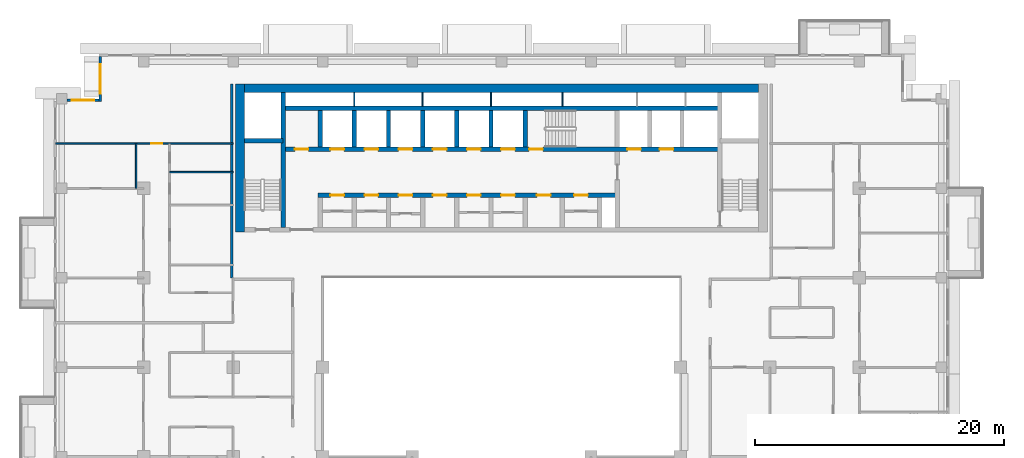
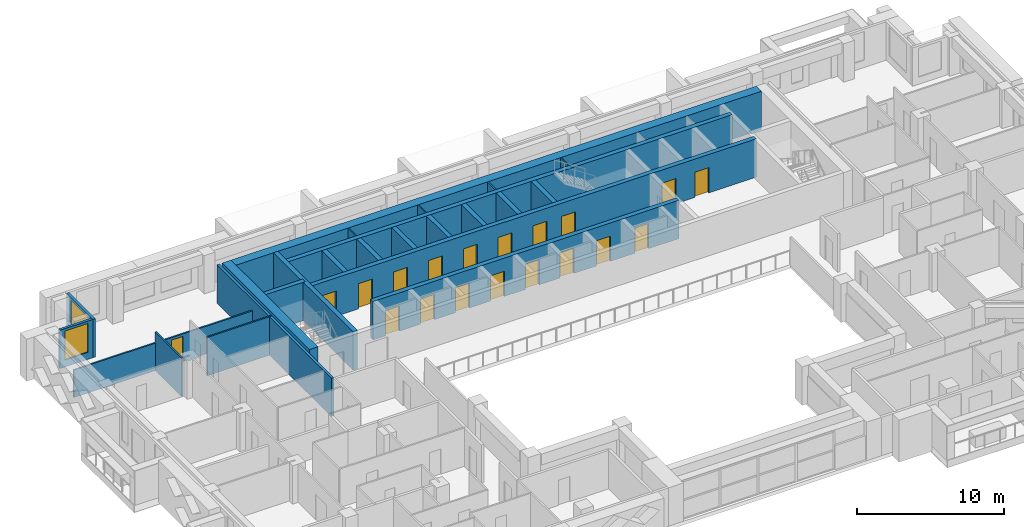
# One storey, part 10 of 20: 24 walls, 19 doors, 2 windows, 21 openings.
"""IFC4 building model written with IfcOpenShell, lengths in metres."""

from ifc_helpers import new_model, si_unit, direction, frame, frame_2d, origin, place, context, subcontext, project, spatial, rectangle, extrude, material, layer, layer_set, type_object, element, fill, save


model = new_model("IFC4")

# Units and contexts
model_context = context("Model", 3, precision=1e-05, world=origin(), true_north=direction((0.0, 1.0)))
body_context = subcontext(model_context, "Body", "Model", "MODEL_VIEW")
ifc_project = project(units=[si_unit("LENGTHUNIT", "METRE"), si_unit("AREAUNIT", "SQUARE_METRE"), si_unit("VOLUMEUNIT", "CUBIC_METRE"), si_unit("PLANEANGLEUNIT", "RADIAN"), si_unit("MASSUNIT", "GRAM", prefix="KILO")], contexts=[model_context])

# Site, building, storey
site_placement = place(None, origin())
site = spatial("IfcSite", under=ifc_project, at=site_placement, CompositionType="ELEMENT")
building_placement = place(site_placement, origin())
building = spatial("IfcBuilding", under=site, at=building_placement, Name="Saffron Iwan Residences", CompositionType="ELEMENT")
storey_placement = place(building_placement, frame((0.0, 0.0, 157.0)))
storey = spatial("IfcBuildingStorey", under=building, at=storey_placement, Name="L41", CompositionType="ELEMENT", Elevation=157.0)

# Wall, opening, window
ifc_material_1 = material(Name="Concrete C40/50", Category="concrete")
ifc_layer_1 = layer(ifc_material_1, 0.199951171875)
ifc_layer_set_1 = layer_set([ifc_layer_1], Name="Concrete C40/50")
wall_type_1 = type_object("IfcWallType", Name="EXTERNAL WALL 200", PredefinedType="SOLIDWALL", material=ifc_layer_set_1)
wall_1_placement = place(storey_placement, frame((18.10009765625, 80.199951171875, 0.0), z_axis=(0.0, 0.0, 1.0), x_axis=(0.0, -1.0, 0.0)))
wall_1 = element("IfcWall", 1, at=wall_1_placement, inside=storey, type_object=wall_type_1, Name="External wall L41 F6.0", PredefinedType="SOLIDWALL", context=body_context, shape_type="SweptSolid", body=[
    extrude(rectangle(XDim=3.599853515625, YDim=0.199951171875, at=frame_2d((1.7998046875, 0.0))), origin(), (0.0, 0.0, 1.0), 3.199951171875),
])
opening_1_placement = place(wall_1_placement, frame((0.60009765625, 0.0, 0.60009765625)))
opening_1 = element("IfcOpeningElement", 2, at=opening_1_placement, cuts=wall_1, Name="Opening W1", PredefinedType="OPENING", context=body_context, shape_type="SweptSolid", body=[
    extrude(rectangle(XDim=2.39990234375, YDim=2.39990234375, at=frame_2d((1.199951171875, 1.199951171875))), frame((0.0, 0.10986328125, 0.0), z_axis=(0.0, -1.0, 0.0), x_axis=(1.0, 0.0, 0.0)), (0.0, 0.0, 1.0), 0.219970703125),
])
ifc_material_2 = material(Name="Clear glass, laminated double glazed", Category="glass")
window_type_1 = type_object("IfcWindowType", Name="WINDOW 2400 x 2400", PartitioningType="DOUBLE_PANEL_VERTICAL", PredefinedType="WINDOW", material=ifc_material_2)
window_1_placement = place(opening_1_placement, origin())
window_1 = element("IfcWindow", 3, at=window_1_placement, inside=storey, type_object=window_type_1, Name="Window L41 F6.0", OverallHeight=2.39990234375, OverallWidth=2.39990234375, PartitioningType="DOUBLE_PANEL_VERTICAL", PredefinedType="WINDOW", context=body_context, shape_type="SweptSolid", body=[
    extrude(rectangle(XDim=2.39990234375, YDim=2.39990234375, at=frame_2d((1.199951171875, 1.199951171875))), frame((0.0, 0.030029296875, 0.0), z_axis=(0.0, -1.0, 0.0), x_axis=(1.0, 0.0, 0.0)), (0.0, 0.0, 1.0), 0.06005859375),
])
fill(opening_1, window_1)

wall_2_placement = place(storey_placement, frame((18.0, 76.699951171875, 0.0), z_axis=(0.0, 0.0, 1.0), x_axis=(-1.0, 0.0, 0.0)))
wall_2 = element("IfcWall", 4, at=wall_2_placement, inside=storey, type_object=wall_type_1, Name="External wall L41 F7.0", PredefinedType="SOLIDWALL", context=body_context, shape_type="SweptSolid", body=[
    extrude(rectangle(XDim=2.574951171875, YDim=0.199951171875, at=frame_2d((1.28759765625, 0.0))), origin(), (0.0, 0.0, 1.0), 3.199951171875),
])
opening_2_placement = place(wall_2_placement, frame((0.387451171875, 0.0, 0.60009765625)))
opening_2 = element("IfcOpeningElement", 5, at=opening_2_placement, cuts=wall_2, Name="Opening W8", PredefinedType="OPENING", context=body_context, shape_type="SweptSolid", body=[
    extrude(rectangle(XDim=1.800048828125, YDim=2.39990234375, at=frame_2d((0.89990234375, 1.199951171875))), frame((0.0, 0.10986328125, 0.0), z_axis=(0.0, -1.0, 0.0), x_axis=(1.0, 0.0, 0.0)), (0.0, 0.0, 1.0), 0.219970703125),
])
window_type_2 = type_object("IfcWindowType", Name="WINDOW 1800 x 2400", PartitioningType="DOUBLE_PANEL_VERTICAL", PredefinedType="WINDOW", material=ifc_material_2)
window_2_placement = place(opening_2_placement, origin())
window_2 = element("IfcWindow", 6, at=window_2_placement, inside=storey, type_object=window_type_2, Name="Window L41 F7.0", OverallHeight=2.39990234375, OverallWidth=1.800048828125, PartitioningType="DOUBLE_PANEL_VERTICAL", PredefinedType="WINDOW", context=body_context, shape_type="SweptSolid", body=[
    extrude(rectangle(XDim=1.800048828125, YDim=2.39990234375, at=frame_2d((0.89990234375, 1.199951171875))), frame((0.0, 0.030029296875, 0.0), z_axis=(0.0, -1.0, 0.0), x_axis=(1.0, 0.0, 0.0)), (0.0, 0.0, 1.0), 0.06005859375),
])
fill(opening_2, window_2)

# Wall
ifc_material_3 = material(Name="Gypsum board partition")
ifc_layer_2 = layer(ifc_material_3, 0.1201171875)
ifc_layer_set_2 = layer_set([ifc_layer_2], Name="Gypsum board partition")
wall_type_2 = type_object("IfcWallType", Name="Flat partition 120", PredefinedType="PARTITIONING", material=ifc_layer_set_2)
wall_3_placement = place(storey_placement, frame((23.699951171875, 70.89990234375, 0.0), z_axis=(0.0, 0.0, 1.0), x_axis=(1.0, 0.0, 0.0)))
element("IfcWall", 7, at=wall_3_placement, inside=storey, type_object=wall_type_2, Name="W-L41-PART-h70.9-23.7", PredefinedType="PARTITIONING", context=body_context, shape_type="SweptSolid", body=[
    extrude(rectangle(XDim=5.10009765625, YDim=0.1201171875, at=frame_2d((2.550048828125, 0.0))), origin(), (0.0, 0.0, 1.0), 3.199951171875),
])

# Wall, opening, door
wall_4_placement = place(storey_placement, frame((14.52490234375, 73.199951171875, 0.0), z_axis=(0.0, 0.0, 1.0), x_axis=(1.0, 0.0, 0.0)))
wall_4 = element("IfcWall", 8, at=wall_4_placement, inside=storey, type_object=wall_type_2, Name="W-L41-PART-h73.2-14.525", PredefinedType="PARTITIONING", context=body_context, shape_type="SweptSolid", body=[
    extrude(rectangle(XDim=14.275146484375, YDim=0.1201171875, at=frame_2d((7.1376953125, 0.0))), origin(), (0.0, 0.0, 1.0), 2.300048828125),
])
opening_3_placement = place(wall_4_placement, frame((7.675048828125, 0.0, 0.0)))
opening_3 = element("IfcOpeningElement", 9, at=opening_3_placement, cuts=wall_4, Name="Opening FD2", PredefinedType="OPENING", context=body_context, shape_type="SweptSolid", body=[
    extrude(rectangle(XDim=0.89990234375, YDim=2.10009765625, at=frame_2d((0.449951171875, 1.050048828125))), frame((0.0, 0.070068359375, 0.0), z_axis=(0.0, -1.0, 0.0), x_axis=(1.0, 0.0, 0.0)), (0.0, 0.0, 1.0), 0.14013671875),
])
ifc_material_4 = material(Name="Timber door", Category="wood")
door_type_1 = type_object("IfcDoorType", Name="Flat door 900", OperationType="NOTDEFINED", PredefinedType="DOOR", material=ifc_material_4)
door_1_placement = place(opening_3_placement, origin())
door_1 = element("IfcDoor", 10, at=door_1_placement, inside=storey, type_object=door_type_1, Name="Door L41-026", OperationType="SINGLE_SWING_RIGHT", OverallHeight=2.10009765625, OverallWidth=0.89990234375, PredefinedType="DOOR", context=body_context, shape_type="SweptSolid", body=[
    extrude(rectangle(XDim=0.89990234375, YDim=2.10009765625, at=frame_2d((0.449951171875, 1.050048828125))), frame((0.0, 0.02490234375, 0.0), z_axis=(0.0, -1.0, 0.0), x_axis=(1.0, 0.0, 0.0)), (0.0, 0.0, 1.0), 0.050048828125),
])
fill(opening_3, door_1)

# Walls
wall_5_placement = place(storey_placement, frame((21.0, 69.60009765625, 0.0), z_axis=(0.0, 0.0, 1.0), x_axis=(0.0, 1.0, 0.0)))
element("IfcWall", 11, at=wall_5_placement, inside=storey, type_object=wall_type_2, Name="W-L41-PART-v21-69.6", PredefinedType="PARTITIONING", context=body_context, shape_type="SweptSolid", body=[
    extrude(rectangle(XDim=3.599853515625, YDim=0.1201171875, at=frame_2d((1.7998046875, 0.0))), origin(), (0.0, 0.0, 1.0), 3.199951171875),
])
ifc_material_5 = material(Name="Fire-rated gypsum board wall")
ifc_layer_3 = layer(ifc_material_5, 0.199951171875)
ifc_layer_set_3 = layer_set([ifc_layer_3], Name="Fire-rated gypsum board wall")
wall_type_3 = type_object("IfcWallType", Name="Gallery wall 200", PredefinedType="SOLIDWALL", material=ifc_layer_set_3)
wall_6_placement = place(storey_placement, frame((28.699951171875, 62.39990234375, 0.0), z_axis=(0.0, 0.0, 1.0), x_axis=(0.0, 1.0, 0.0)))
element("IfcWall", 12, at=wall_6_placement, inside=storey, type_object=wall_type_3, Name="W-L41-CORR-v28.8-62.4", PredefinedType="SOLIDWALL", context=body_context, shape_type="SweptSolid", body=[
    extrude(rectangle(XDim=15.60009765625, YDim=0.199951171875, at=frame_2d((7.800048828125, 0.0))), origin(), (0.0, 0.0, 1.0), 3.199951171875),
])
ifc_material_6 = material(Name="Fire-rated plasterboard partition")
ifc_layer_4 = layer(ifc_material_6, 0.10009765625)
ifc_layer_set_4 = layer_set([ifc_layer_4], Name="Fire-rated plasterboard partition")
wall_type_4 = type_object("IfcWallType", Name="Riser partition 100", PredefinedType="PARTITIONING", material=ifc_layer_set_4)
for number, where, z_axis, x_axis, name in (
    (13, (38.550048828125, 76.22509765625, 0.0), (0.0, 0.0, 1.0), (0.0, 1.0, 0.0), "Core partition P07"),
    (14, (44.050048828125, 76.22509765625, 0.0), (0.0, 0.0, 1.0), (0.0, 1.0, 0.0), "Core partition P08"),
    (15, (49.550048828125, 76.22509765625, 0.0), (0.0, 0.0, 1.0), (0.0, 1.0, 0.0), "Core partition P09"),
    (16, (55.300048828125, 76.22509765625, 0.0), (0.0, 0.0, 1.0), (0.0, 1.0, 0.0), "Core partition P10"),
):
    element("IfcWall", number, at=place(storey_placement, frame(where, z_axis=z_axis, x_axis=x_axis)), inside=storey, type_object=wall_type_4, Name=name, PredefinedType="PARTITIONING", context=body_context, shape_type="SweptSolid", body=[
        extrude(rectangle(XDim=1.074951171875, YDim=0.10009765625, at=frame_2d((0.53759765625, 0.0))), origin(), (0.0, 0.0, 1.0), 3.199951171875),
    ])

# Wall, openings, doors
ifc_material_7 = material(Name="Concrete C50/60", Category="concrete")
ifc_layer_5 = layer(ifc_material_7, 0.35009765625)
ifc_layer_set_5 = layer_set([ifc_layer_5], Name="Concrete C50/60")
wall_type_5 = type_object("IfcWallType", Name="WALL CORE 350 C50/60 3200 HIGH", PredefinedType="SHEAR", material=ifc_layer_set_5)
wall_7_placement = place(storey_placement, frame((35.625, 69.050048828125, 0.0), z_axis=(0.0, 0.0, 1.0), x_axis=(1.0, 0.0, 0.0)))
wall_7 = element("IfcWall", 17, at=wall_7_placement, inside=storey, type_object=wall_type_5, Name="Core wall", PredefinedType="SHEAR", context=body_context, shape_type="SweptSolid", body=[
    extrude(rectangle(XDim=24.10009765625, YDim=0.35009765625, at=frame_2d((12.050048828125, 0.0))), origin(), (0.0, 0.0, 1.0), 3.199951171875),
])
opening_4_placement = place(wall_7_placement, frame((1.0, 0.0, 0.0)))
opening_4 = element("IfcOpeningElement", 18, at=opening_4_placement, cuts=wall_7, Name="Opening SR", PredefinedType="OPENING", context=body_context, shape_type="SweptSolid", body=[
    extrude(rectangle(XDim=1.10009765625, YDim=2.10009765625, at=frame_2d((0.550048828125, 1.050048828125))), frame((0.0, 0.18505859375, 0.0), z_axis=(0.0, -1.0, 0.0), x_axis=(1.0, 0.0, 0.0)), (0.0, 0.0, 1.0), 0.3701171875),
])
opening_5_placement = place(wall_7_placement, frame((3.75, 0.0, 0.0)))
opening_5 = element("IfcOpeningElement", 19, at=opening_5_placement, cuts=wall_7, Name="Opening SR", PredefinedType="OPENING", context=body_context, shape_type="SweptSolid", body=[
    extrude(rectangle(XDim=1.10009765625, YDim=2.10009765625, at=frame_2d((0.550048828125, 1.050048828125))), frame((0.0, 0.18505859375, 0.0), z_axis=(0.0, -1.0, 0.0), x_axis=(1.0, 0.0, 0.0)), (0.0, 0.0, 1.0), 0.3701171875),
])
opening_6_placement = place(wall_7_placement, frame((6.5, 0.0, 0.0)))
opening_6 = element("IfcOpeningElement", 20, at=opening_6_placement, cuts=wall_7, Name="Opening SR", PredefinedType="OPENING", context=body_context, shape_type="SweptSolid", body=[
    extrude(rectangle(XDim=1.10009765625, YDim=2.10009765625, at=frame_2d((0.550048828125, 1.050048828125))), frame((0.0, 0.18505859375, 0.0), z_axis=(0.0, -1.0, 0.0), x_axis=(1.0, 0.0, 0.0)), (0.0, 0.0, 1.0), 0.3701171875),
])
opening_7_placement = place(wall_7_placement, frame((9.25, 0.0, 0.0)))
opening_7 = element("IfcOpeningElement", 21, at=opening_7_placement, cuts=wall_7, Name="Opening SR", PredefinedType="OPENING", context=body_context, shape_type="SweptSolid", body=[
    extrude(rectangle(XDim=1.10009765625, YDim=2.10009765625, at=frame_2d((0.550048828125, 1.050048828125))), frame((0.0, 0.18505859375, 0.0), z_axis=(0.0, -1.0, 0.0), x_axis=(1.0, 0.0, 0.0)), (0.0, 0.0, 1.0), 0.3701171875),
])
opening_8_placement = place(wall_7_placement, frame((12.0, 0.0, 0.0)))
opening_8 = element("IfcOpeningElement", 22, at=opening_8_placement, cuts=wall_7, Name="Opening SR", PredefinedType="OPENING", context=body_context, shape_type="SweptSolid", body=[
    extrude(rectangle(XDim=1.10009765625, YDim=2.10009765625, at=frame_2d((0.550048828125, 1.050048828125))), frame((0.0, 0.18505859375, 0.0), z_axis=(0.0, -1.0, 0.0), x_axis=(1.0, 0.0, 0.0)), (0.0, 0.0, 1.0), 0.3701171875),
])
opening_9_placement = place(wall_7_placement, frame((14.75, 0.0, 0.0)))
opening_9 = element("IfcOpeningElement", 23, at=opening_9_placement, cuts=wall_7, Name="Opening SR", PredefinedType="OPENING", context=body_context, shape_type="SweptSolid", body=[
    extrude(rectangle(XDim=1.10009765625, YDim=2.10009765625, at=frame_2d((0.550048828125, 1.050048828125))), frame((0.0, 0.18505859375, 0.0), z_axis=(0.0, -1.0, 0.0), x_axis=(1.0, 0.0, 0.0)), (0.0, 0.0, 1.0), 0.3701171875),
])
opening_10_placement = place(wall_7_placement, frame((17.625, 0.0, 0.0)))
opening_10 = element("IfcOpeningElement", 24, at=opening_10_placement, cuts=wall_7, Name="Opening SR", PredefinedType="OPENING", context=body_context, shape_type="SweptSolid", body=[
    extrude(rectangle(XDim=1.10009765625, YDim=2.10009765625, at=frame_2d((0.550048828125, 1.050048828125))), frame((0.0, 0.18505859375, 0.0), z_axis=(0.0, -1.0, 0.0), x_axis=(1.0, 0.0, 0.0)), (0.0, 0.0, 1.0), 0.3701171875),
])
opening_11_placement = place(wall_7_placement, frame((20.625, 0.0, 0.0)))
opening_11 = element("IfcOpeningElement", 25, at=opening_11_placement, cuts=wall_7, Name="Opening SR", PredefinedType="OPENING", context=body_context, shape_type="SweptSolid", body=[
    extrude(rectangle(XDim=1.10009765625, YDim=2.10009765625, at=frame_2d((0.550048828125, 1.050048828125))), frame((0.0, 0.18505859375, 0.0), z_axis=(0.0, -1.0, 0.0), x_axis=(1.0, 0.0, 0.0)), (0.0, 0.0, 1.0), 0.3701171875),
])
ifc_material_8 = material(Name="Steel fire door", Category="steel")
door_type_2 = type_object("IfcDoorType", Name="Service door 1100", OperationType="NOTDEFINED", PredefinedType="DOOR", material=ifc_material_8)
door_2_placement = place(opening_4_placement, origin())
door_2 = element("IfcDoor", 26, at=door_2_placement, inside=storey, type_object=door_type_2, Name="Door Maintenance store", OperationType="SINGLE_SWING_RIGHT", OverallHeight=2.10009765625, OverallWidth=1.10009765625, PredefinedType="DOOR", context=body_context, shape_type="SweptSolid", body=[
    extrude(rectangle(XDim=1.10009765625, YDim=2.10009765625, at=frame_2d((0.550048828125, 1.050048828125))), frame((0.0, 0.02490234375, 0.0), z_axis=(0.0, -1.0, 0.0), x_axis=(1.0, 0.0, 0.0)), (0.0, 0.0, 1.0), 0.050048828125),
])
fill(opening_4, door_2)
door_3_placement = place(opening_5_placement, origin())
door_3 = element("IfcDoor", 27, at=door_3_placement, inside=storey, type_object=door_type_2, Name="Door Linen store", OperationType="SINGLE_SWING_LEFT", OverallHeight=2.10009765625, OverallWidth=1.10009765625, PredefinedType="DOOR", context=body_context, shape_type="SweptSolid", body=[
    extrude(rectangle(XDim=1.10009765625, YDim=2.10009765625, at=frame_2d((0.550048828125, 1.050048828125))), frame((0.0, 0.02490234375, 0.0), z_axis=(0.0, -1.0, 0.0), x_axis=(1.0, 0.0, 0.0)), (0.0, 0.0, 1.0), 0.050048828125),
])
fill(opening_5, door_3)
door_4_placement = place(opening_6_placement, origin())
door_4 = element("IfcDoor", 28, at=door_4_placement, inside=storey, type_object=door_type_2, Name="Door Pantry", OperationType="SINGLE_SWING_RIGHT", OverallHeight=2.10009765625, OverallWidth=1.10009765625, PredefinedType="DOOR", context=body_context, shape_type="SweptSolid", body=[
    extrude(rectangle(XDim=1.10009765625, YDim=2.10009765625, at=frame_2d((0.550048828125, 1.050048828125))), frame((0.0, 0.02490234375, 0.0), z_axis=(0.0, -1.0, 0.0), x_axis=(1.0, 0.0, 0.0)), (0.0, 0.0, 1.0), 0.050048828125),
])
fill(opening_6, door_4)
door_5_placement = place(opening_7_placement, origin())
door_5 = element("IfcDoor", 29, at=door_5_placement, inside=storey, type_object=door_type_2, Name="Door Electrical room", OperationType="SINGLE_SWING_LEFT", OverallHeight=2.10009765625, OverallWidth=1.10009765625, PredefinedType="DOOR", context=body_context, shape_type="SweptSolid", body=[
    extrude(rectangle(XDim=1.10009765625, YDim=2.10009765625, at=frame_2d((0.550048828125, 1.050048828125))), frame((0.0, 0.02490234375, 0.0), z_axis=(0.0, -1.0, 0.0), x_axis=(1.0, 0.0, 0.0)), (0.0, 0.0, 1.0), 0.050048828125),
])
fill(opening_7, door_5)
door_6_placement = place(opening_8_placement, origin())
door_6 = element("IfcDoor", 30, at=door_6_placement, inside=storey, type_object=door_type_2, Name="Door Luggage store", OperationType="SINGLE_SWING_RIGHT", OverallHeight=2.10009765625, OverallWidth=1.10009765625, PredefinedType="DOOR", context=body_context, shape_type="SweptSolid", body=[
    extrude(rectangle(XDim=1.10009765625, YDim=2.10009765625, at=frame_2d((0.550048828125, 1.050048828125))), frame((0.0, 0.02490234375, 0.0), z_axis=(0.0, -1.0, 0.0), x_axis=(1.0, 0.0, 0.0)), (0.0, 0.0, 1.0), 0.050048828125),
])
fill(opening_8, door_6)
door_7_placement = place(opening_9_placement, origin())
door_7 = element("IfcDoor", 31, at=door_7_placement, inside=storey, type_object=door_type_2, Name="Door Refuse store", OperationType="SINGLE_SWING_LEFT", OverallHeight=2.10009765625, OverallWidth=1.10009765625, PredefinedType="DOOR", context=body_context, shape_type="SweptSolid", body=[
    extrude(rectangle(XDim=1.10009765625, YDim=2.10009765625, at=frame_2d((0.550048828125, 1.050048828125))), frame((0.0, 0.02490234375, 0.0), z_axis=(0.0, -1.0, 0.0), x_axis=(1.0, 0.0, 0.0)), (0.0, 0.0, 1.0), 0.050048828125),
])
fill(opening_9, door_7)
door_8_placement = place(opening_10_placement, origin())
door_8 = element("IfcDoor", 32, at=door_8_placement, inside=storey, type_object=door_type_2, Name="Door Housekeeping store", OperationType="SINGLE_SWING_RIGHT", OverallHeight=2.10009765625, OverallWidth=1.10009765625, PredefinedType="DOOR", context=body_context, shape_type="SweptSolid", body=[
    extrude(rectangle(XDim=1.10009765625, YDim=2.10009765625, at=frame_2d((0.550048828125, 1.050048828125))), frame((0.0, 0.02490234375, 0.0), z_axis=(0.0, -1.0, 0.0), x_axis=(1.0, 0.0, 0.0)), (0.0, 0.0, 1.0), 0.050048828125),
])
fill(opening_10, door_8)
door_9_placement = place(opening_11_placement, origin())
door_9 = element("IfcDoor", 33, at=door_9_placement, inside=storey, type_object=door_type_2, Name="Door Cleaner's store", OperationType="SINGLE_SWING_RIGHT", OverallHeight=2.10009765625, OverallWidth=1.10009765625, PredefinedType="DOOR", context=body_context, shape_type="SweptSolid", body=[
    extrude(rectangle(XDim=1.10009765625, YDim=2.10009765625, at=frame_2d((0.550048828125, 1.050048828125))), frame((0.0, 0.02490234375, 0.0), z_axis=(0.0, -1.0, 0.0), x_axis=(1.0, 0.0, 0.0)), (0.0, 0.0, 1.0), 0.050048828125),
])
fill(opening_11, door_9)

wall_8_placement = place(storey_placement, frame((32.824951171875, 72.75, 0.0), z_axis=(0.0, 0.0, 1.0), x_axis=(1.0, 0.0, 0.0)))
wall_8 = element("IfcWall", 34, at=wall_8_placement, inside=storey, type_object=wall_type_5, Name="Core wall", PredefinedType="SHEAR", context=body_context, shape_type="SweptSolid", body=[
    extrude(rectangle(XDim=35.150146484375, YDim=0.35009765625, at=frame_2d((17.5751953125, 0.0))), origin(), (0.0, 0.0, 1.0), 3.199951171875),
])
opening_12_placement = place(wall_8_placement, frame((19.800048828125, 0.0, 0.0)))
opening_12 = element("IfcOpeningElement", 35, at=opening_12_placement, cuts=wall_8, Name="Opening SD", PredefinedType="OPENING", context=body_context, shape_type="SweptSolid", body=[
    extrude(rectangle(XDim=1.10009765625, YDim=2.10009765625, at=frame_2d((0.550048828125, 1.050048828125))), frame((0.0, 0.18505859375, 0.0), z_axis=(0.0, -1.0, 0.0), x_axis=(1.0, 0.0, 0.0)), (0.0, 0.0, 1.0), 0.3701171875),
])
opening_13_placement = place(wall_8_placement, frame((27.699951171875, 0.0, 0.0)))
opening_13 = element("IfcOpeningElement", 36, at=opening_13_placement, cuts=wall_8, Name="Opening LD", PredefinedType="OPENING", context=body_context, shape_type="SweptSolid", body=[
    extrude(rectangle(XDim=1.10009765625, YDim=2.10009765625, at=frame_2d((0.550048828125, 1.050048828125))), frame((0.0, 0.18505859375, 0.0), z_axis=(0.0, -1.0, 0.0), x_axis=(1.0, 0.0, 0.0)), (0.0, 0.0, 1.0), 0.3701171875),
])
opening_14_placement = place(wall_8_placement, frame((30.300048828125, 0.0, 0.0)))
opening_14 = element("IfcOpeningElement", 37, at=opening_14_placement, cuts=wall_8, Name="Opening LD", PredefinedType="OPENING", context=body_context, shape_type="SweptSolid", body=[
    extrude(rectangle(XDim=1.10009765625, YDim=2.10009765625, at=frame_2d((0.550048828125, 1.050048828125))), frame((0.0, 0.18505859375, 0.0), z_axis=(0.0, -1.0, 0.0), x_axis=(1.0, 0.0, 0.0)), (0.0, 0.0, 1.0), 0.3701171875),
])
opening_15_placement = place(wall_8_placement, frame((3.800048828125, 0.0, 0.0)))
opening_15 = element("IfcOpeningElement", 38, at=opening_15_placement, cuts=wall_8, Name="Opening LD", PredefinedType="OPENING", context=body_context, shape_type="SweptSolid", body=[
    extrude(rectangle(XDim=1.10009765625, YDim=2.10009765625, at=frame_2d((0.550048828125, 1.050048828125))), frame((0.0, 0.18505859375, 0.0), z_axis=(0.0, -1.0, 0.0), x_axis=(1.0, 0.0, 0.0)), (0.0, 0.0, 1.0), 0.3701171875),
])
opening_16_placement = place(wall_8_placement, frame((6.550048828125, 0.0, 0.0)))
opening_16 = element("IfcOpeningElement", 39, at=opening_16_placement, cuts=wall_8, Name="Opening LD", PredefinedType="OPENING", context=body_context, shape_type="SweptSolid", body=[
    extrude(rectangle(XDim=1.10009765625, YDim=2.10009765625, at=frame_2d((0.550048828125, 1.050048828125))), frame((0.0, 0.18505859375, 0.0), z_axis=(0.0, -1.0, 0.0), x_axis=(1.0, 0.0, 0.0)), (0.0, 0.0, 1.0), 0.3701171875),
])
opening_17_placement = place(wall_8_placement, frame((9.300048828125, 0.0, 0.0)))
opening_17 = element("IfcOpeningElement", 40, at=opening_17_placement, cuts=wall_8, Name="Opening LD", PredefinedType="OPENING", context=body_context, shape_type="SweptSolid", body=[
    extrude(rectangle(XDim=1.10009765625, YDim=2.10009765625, at=frame_2d((0.550048828125, 1.050048828125))), frame((0.0, 0.18505859375, 0.0), z_axis=(0.0, -1.0, 0.0), x_axis=(1.0, 0.0, 0.0)), (0.0, 0.0, 1.0), 0.3701171875),
])
opening_18_placement = place(wall_8_placement, frame((12.050048828125, 0.0, 0.0)))
opening_18 = element("IfcOpeningElement", 41, at=opening_18_placement, cuts=wall_8, Name="Opening LD", PredefinedType="OPENING", context=body_context, shape_type="SweptSolid", body=[
    extrude(rectangle(XDim=1.10009765625, YDim=2.10009765625, at=frame_2d((0.550048828125, 1.050048828125))), frame((0.0, 0.18505859375, 0.0), z_axis=(0.0, -1.0, 0.0), x_axis=(1.0, 0.0, 0.0)), (0.0, 0.0, 1.0), 0.3701171875),
])
opening_19_placement = place(wall_8_placement, frame((14.800048828125, 0.0, 0.0)))
opening_19 = element("IfcOpeningElement", 42, at=opening_19_placement, cuts=wall_8, Name="Opening LD", PredefinedType="OPENING", context=body_context, shape_type="SweptSolid", body=[
    extrude(rectangle(XDim=1.10009765625, YDim=2.10009765625, at=frame_2d((0.550048828125, 1.050048828125))), frame((0.0, 0.18505859375, 0.0), z_axis=(0.0, -1.0, 0.0), x_axis=(1.0, 0.0, 0.0)), (0.0, 0.0, 1.0), 0.3701171875),
])
opening_20_placement = place(wall_8_placement, frame((17.550048828125, 0.0, 0.0)))
opening_20 = element("IfcOpeningElement", 43, at=opening_20_placement, cuts=wall_8, Name="Opening LD", PredefinedType="OPENING", context=body_context, shape_type="SweptSolid", body=[
    extrude(rectangle(XDim=1.10009765625, YDim=2.10009765625, at=frame_2d((0.550048828125, 1.050048828125))), frame((0.0, 0.18505859375, 0.0), z_axis=(0.0, -1.0, 0.0), x_axis=(1.0, 0.0, 0.0)), (0.0, 0.0, 1.0), 0.3701171875),
])
opening_21_placement = place(wall_8_placement, frame((0.9375, 0.0, 0.0)))
opening_21 = element("IfcOpeningElement", 44, at=opening_21_placement, cuts=wall_8, Name="Opening SR", PredefinedType="OPENING", context=body_context, shape_type="SweptSolid", body=[
    extrude(rectangle(XDim=1.10009765625, YDim=2.10009765625, at=frame_2d((0.550048828125, 1.050048828125))), frame((0.0, 0.18505859375, 0.0), z_axis=(0.0, -1.0, 0.0), x_axis=(1.0, 0.0, 0.0)), (0.0, 0.0, 1.0), 0.3701171875),
])
door_type_3 = type_object("IfcDoorType", Name="Lift landing door 1100", OperationType="SLIDING_TO_LEFT", PredefinedType="DOOR", material=ifc_material_8)
door_10_placement = place(opening_13_placement, origin())
door_10 = element("IfcDoor", 45, at=door_10_placement, inside=storey, type_object=door_type_3, Name="Landing doors FF1", OperationType="SLIDING_TO_LEFT", OverallHeight=2.10009765625, OverallWidth=1.10009765625, PredefinedType="DOOR", context=body_context, shape_type="SweptSolid", body=[
    extrude(rectangle(XDim=1.10009765625, YDim=2.10009765625, at=frame_2d((0.550048828125, 1.050048828125))), frame((0.0, 0.02490234375, 0.0), z_axis=(0.0, -1.0, 0.0), x_axis=(1.0, 0.0, 0.0)), (0.0, 0.0, 1.0), 0.050048828125),
])
fill(opening_13, door_10)
door_11_placement = place(opening_14_placement, origin())
door_11 = element("IfcDoor", 46, at=door_11_placement, inside=storey, type_object=door_type_3, Name="Landing doors FF2", OperationType="SLIDING_TO_LEFT", OverallHeight=2.10009765625, OverallWidth=1.10009765625, PredefinedType="DOOR", context=body_context, shape_type="SweptSolid", body=[
    extrude(rectangle(XDim=1.10009765625, YDim=2.10009765625, at=frame_2d((0.550048828125, 1.050048828125))), frame((0.0, 0.02490234375, 0.0), z_axis=(0.0, -1.0, 0.0), x_axis=(1.0, 0.0, 0.0)), (0.0, 0.0, 1.0), 0.050048828125),
])
fill(opening_14, door_11)
door_12_placement = place(opening_15_placement, origin())
door_12 = element("IfcDoor", 47, at=door_12_placement, inside=storey, type_object=door_type_3, Name="Landing doors HR1", OperationType="SLIDING_TO_LEFT", OverallHeight=2.10009765625, OverallWidth=1.10009765625, PredefinedType="DOOR", context=body_context, shape_type="SweptSolid", body=[
    extrude(rectangle(XDim=1.10009765625, YDim=2.10009765625, at=frame_2d((0.550048828125, 1.050048828125))), frame((0.0, 0.02490234375, 0.0), z_axis=(0.0, -1.0, 0.0), x_axis=(1.0, 0.0, 0.0)), (0.0, 0.0, 1.0), 0.050048828125),
])
fill(opening_15, door_12)
door_13_placement = place(opening_16_placement, origin())
door_13 = element("IfcDoor", 48, at=door_13_placement, inside=storey, type_object=door_type_3, Name="Landing doors HR2", OperationType="SLIDING_TO_LEFT", OverallHeight=2.10009765625, OverallWidth=1.10009765625, PredefinedType="DOOR", context=body_context, shape_type="SweptSolid", body=[
    extrude(rectangle(XDim=1.10009765625, YDim=2.10009765625, at=frame_2d((0.550048828125, 1.050048828125))), frame((0.0, 0.02490234375, 0.0), z_axis=(0.0, -1.0, 0.0), x_axis=(1.0, 0.0, 0.0)), (0.0, 0.0, 1.0), 0.050048828125),
])
fill(opening_16, door_13)
door_14_placement = place(opening_17_placement, origin())
door_14 = element("IfcDoor", 49, at=door_14_placement, inside=storey, type_object=door_type_3, Name="Landing doors HR3", OperationType="SLIDING_TO_LEFT", OverallHeight=2.10009765625, OverallWidth=1.10009765625, PredefinedType="DOOR", context=body_context, shape_type="SweptSolid", body=[
    extrude(rectangle(XDim=1.10009765625, YDim=2.10009765625, at=frame_2d((0.550048828125, 1.050048828125))), frame((0.0, 0.02490234375, 0.0), z_axis=(0.0, -1.0, 0.0), x_axis=(1.0, 0.0, 0.0)), (0.0, 0.0, 1.0), 0.050048828125),
])
fill(opening_17, door_14)
door_15_placement = place(opening_18_placement, origin())
door_15 = element("IfcDoor", 50, at=door_15_placement, inside=storey, type_object=door_type_3, Name="Landing doors HR4", OperationType="SLIDING_TO_LEFT", OverallHeight=2.10009765625, OverallWidth=1.10009765625, PredefinedType="DOOR", context=body_context, shape_type="SweptSolid", body=[
    extrude(rectangle(XDim=1.10009765625, YDim=2.10009765625, at=frame_2d((0.550048828125, 1.050048828125))), frame((0.0, 0.02490234375, 0.0), z_axis=(0.0, -1.0, 0.0), x_axis=(1.0, 0.0, 0.0)), (0.0, 0.0, 1.0), 0.050048828125),
])
fill(opening_18, door_15)
door_16_placement = place(opening_19_placement, origin())
door_16 = element("IfcDoor", 51, at=door_16_placement, inside=storey, type_object=door_type_3, Name="Landing doors HR5", OperationType="SLIDING_TO_LEFT", OverallHeight=2.10009765625, OverallWidth=1.10009765625, PredefinedType="DOOR", context=body_context, shape_type="SweptSolid", body=[
    extrude(rectangle(XDim=1.10009765625, YDim=2.10009765625, at=frame_2d((0.550048828125, 1.050048828125))), frame((0.0, 0.02490234375, 0.0), z_axis=(0.0, -1.0, 0.0), x_axis=(1.0, 0.0, 0.0)), (0.0, 0.0, 1.0), 0.050048828125),
])
fill(opening_19, door_16)
door_17_placement = place(opening_20_placement, origin())
door_17 = element("IfcDoor", 52, at=door_17_placement, inside=storey, type_object=door_type_3, Name="Landing doors HR6", OperationType="SLIDING_TO_LEFT", OverallHeight=2.10009765625, OverallWidth=1.10009765625, PredefinedType="DOOR", context=body_context, shape_type="SweptSolid", body=[
    extrude(rectangle(XDim=1.10009765625, YDim=2.10009765625, at=frame_2d((0.550048828125, 1.050048828125))), frame((0.0, 0.02490234375, 0.0), z_axis=(0.0, -1.0, 0.0), x_axis=(1.0, 0.0, 0.0)), (0.0, 0.0, 1.0), 0.050048828125),
])
fill(opening_20, door_17)
door_18_placement = place(opening_21_placement, origin())
door_18 = element("IfcDoor", 53, at=door_18_placement, inside=storey, type_object=door_type_2, Name="Door Service room", OperationType="SINGLE_SWING_LEFT", OverallHeight=2.10009765625, OverallWidth=1.10009765625, PredefinedType="DOOR", context=body_context, shape_type="SweptSolid", body=[
    extrude(rectangle(XDim=1.10009765625, YDim=2.10009765625, at=frame_2d((0.550048828125, 1.050048828125))), frame((0.0, 0.02490234375, 0.0), z_axis=(0.0, -1.0, 0.0), x_axis=(1.0, 0.0, 0.0)), (0.0, 0.0, 1.0), 0.050048828125),
])
fill(opening_21, door_18)
door_type_4 = type_object("IfcDoorType", Name="Stair door 1100", OperationType="NOTDEFINED", PredefinedType="DOOR", material=ifc_material_8)
door_19_placement = place(opening_12_placement, origin())
door_19 = element("IfcDoor", 54, at=door_19_placement, inside=storey, type_object=door_type_4, Name="Stair door ST-C", OperationType="SINGLE_SWING_LEFT", OverallHeight=2.10009765625, OverallWidth=1.10009765625, PredefinedType="DOOR", context=body_context, shape_type="SweptSolid", body=[
    extrude(rectangle(XDim=1.10009765625, YDim=2.10009765625, at=frame_2d((0.550048828125, 1.050048828125))), frame((0.0, 0.02490234375, 0.0), z_axis=(0.0, -1.0, 0.0), x_axis=(1.0, 0.0, 0.0)), (0.0, 0.0, 1.0), 0.050048828125),
])
fill(opening_12, door_19)

# Walls
wall_9_placement = place(storey_placement, frame((32.824951171875, 76.050048828125, 0.0), z_axis=(0.0, 0.0, 1.0), x_axis=(1.0, 0.0, 0.0)))
element("IfcWall", 55, at=wall_9_placement, inside=storey, type_object=wall_type_5, Name="Core wall", PredefinedType="SHEAR", context=body_context, shape_type="SweptSolid", body=[
    extrude(rectangle(XDim=35.150146484375, YDim=0.35009765625, at=frame_2d((17.5751953125, 0.0))), origin(), (0.0, 0.0, 1.0), 3.199951171875),
])
wall_10_placement = place(storey_placement, frame((29.699951171875, 73.425048828125, 0.0), z_axis=(0.0, 0.0, 1.0), x_axis=(1.0, 0.0, 0.0)))
element("IfcWall", 56, at=wall_10_placement, inside=storey, type_object=wall_type_5, Name="Core wall", PredefinedType="SHEAR", context=body_context, shape_type="SweptSolid", body=[
    extrude(rectangle(XDim=3.125, YDim=0.35009765625, at=frame_2d((1.5625, 0.0))), origin(), (0.0, 0.0, 1.0), 3.199951171875),
])
wall_11_placement = place(storey_placement, frame((32.824951171875, 66.449951171875, 0.0), z_axis=(0.0, 0.0, 1.0), x_axis=(0.0, 1.0, 0.0)))
element("IfcWall", 57, at=wall_11_placement, inside=storey, type_object=wall_type_5, Name="Core wall", PredefinedType="SHEAR", context=body_context, shape_type="SweptSolid", body=[
    extrude(rectangle(XDim=10.85009765625, YDim=0.35009765625, at=frame_2d((5.425048828125, 0.0))), origin(), (0.0, 0.0, 1.0), 3.199951171875),
])
for number, where, z_axis, x_axis, name in (
    (58, (35.800048828125, 72.925048828125, 0.0), (0.0, 0.0, 1.0), (0.0, 1.0, 0.0), "Core wall"),
    (59, (38.550048828125, 72.925048828125, 0.0), (0.0, 0.0, 1.0), (0.0, 1.0, 0.0), "Core wall"),
    (60, (41.300048828125, 72.925048828125, 0.0), (0.0, 0.0, 1.0), (0.0, 1.0, 0.0), "Core wall"),
    (61, (44.050048828125, 72.925048828125, 0.0), (0.0, 0.0, 1.0), (0.0, 1.0, 0.0), "Core wall"),
    (62, (46.800048828125, 72.925048828125, 0.0), (0.0, 0.0, 1.0), (0.0, 1.0, 0.0), "Core wall"),
    (63, (49.550048828125, 72.925048828125, 0.0), (0.0, 0.0, 1.0), (0.0, 1.0, 0.0), "Core wall"),
    (64, (52.300048828125, 72.925048828125, 0.0), (0.0, 0.0, 1.0), (0.0, 1.0, 0.0), "Core wall"),
):
    element("IfcWall", number, at=place(storey_placement, frame(where, z_axis=z_axis, x_axis=x_axis)), inside=storey, type_object=wall_type_5, Name=name, PredefinedType="SHEAR", context=body_context, shape_type="SweptSolid", body=[
        extrude(rectangle(XDim=2.949951171875, YDim=0.35009765625, at=frame_2d((1.47509765625, 0.0))), origin(), (0.0, 0.0, 1.0), 3.199951171875),
    ])
ifc_layer_6 = layer(ifc_material_7, 0.699951171875)
ifc_layer_set_6 = layer_set([ifc_layer_6], Name="Concrete C50/60")
wall_type_6 = type_object("IfcWallType", Name="WALL CORE 700 C50/60 3200 HIGH", PredefinedType="SHEAR", material=ifc_layer_set_6)
wall_12_placement = place(storey_placement, frame((29.35009765625, 66.10009765625, 0.0), z_axis=(0.0, 0.0, 1.0), x_axis=(0.0, 1.0, 0.0)))
element("IfcWall", 65, at=wall_12_placement, inside=storey, type_object=wall_type_6, Name="Core wall", PredefinedType="SHEAR", context=body_context, shape_type="SweptSolid", body=[
    extrude(rectangle(XDim=11.89990234375, YDim=0.699951171875, at=frame_2d((5.949951171875, 0.0))), origin(), (0.0, 0.0, 1.0), 3.199951171875),
])
wall_13_placement = place(storey_placement, frame((29.699951171875, 77.64990234375, 0.0), z_axis=(0.0, 0.0, 1.0), x_axis=(1.0, 0.0, 0.0)))
element("IfcWall", 66, at=wall_13_placement, inside=storey, type_object=wall_type_6, Name="Core wall", PredefinedType="SHEAR", context=body_context, shape_type="SweptSolid", body=[
    extrude(rectangle(XDim=41.400146484375, YDim=0.699951171875, at=frame_2d((20.7001953125, 0.0))), origin(), (0.0, 0.0, 1.0), 3.199951171875),
])

save(model, "model.ifc")
